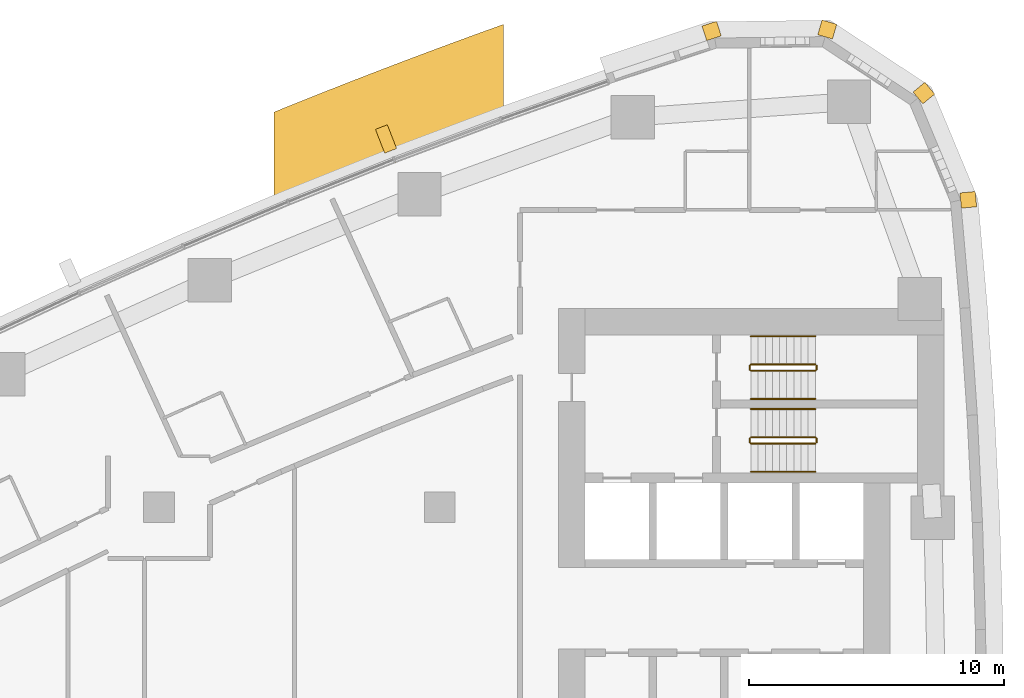
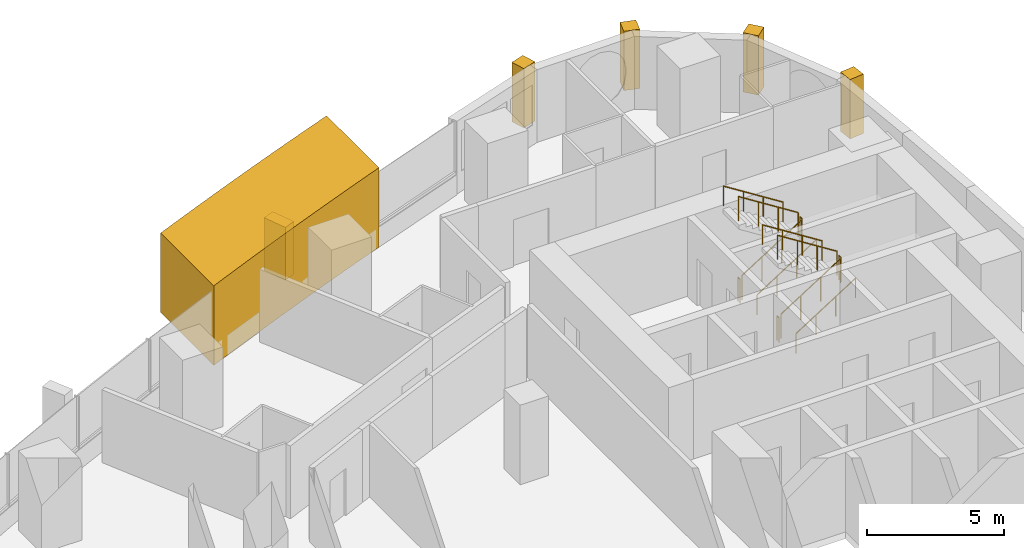
# One storey, part 17 of 17: 12 railings, 6 coverings.
"""IFC4 building model written with IfcOpenShell, lengths in metres."""

from ifc_helpers import new_model, si_unit, direction, frame, frame_2d, origin, origin_2d, place, context, subcontext, project, spatial, polyline, rectangle, circle, outline, extrude, material, layer, layer_set, type_object, element, save


model = new_model("IFC4")

# Units and contexts
model_context = context("Model", 3, precision=1e-05, world=origin(), true_north=direction((0.0, 1.0)))
body_context = subcontext(model_context, "Body", "Model", "MODEL_VIEW")
ifc_project = project(units=[si_unit("LENGTHUNIT", "METRE"), si_unit("AREAUNIT", "SQUARE_METRE"), si_unit("VOLUMEUNIT", "CUBIC_METRE"), si_unit("PLANEANGLEUNIT", "RADIAN"), si_unit("MASSUNIT", "GRAM", prefix="KILO")], contexts=[model_context])

# Site, building, storey
site_placement = place(None, origin())
site = spatial("IfcSite", under=ifc_project, at=site_placement, CompositionType="ELEMENT")
building_placement = place(site_placement, origin())
building = spatial("IfcBuilding", under=site, at=building_placement, Name="Ostrand Prow Hotel Tower", CompositionType="ELEMENT")
storey_placement = place(building_placement, frame((0.0, 0.0, 92.0)))
storey = spatial("IfcBuildingStorey", under=building, at=storey_placement, Name="L21", CompositionType="ELEMENT", Elevation=92.0)

# Coverings
ifc_material_1 = material(Name="Limestone cladding", Category="masonry")
ifc_layer_1 = layer(ifc_material_1, 5.0)
ifc_layer_set_1 = layer_set([ifc_layer_1], Name="Limestone cladding")
covering_type_1 = type_object("IfcCoveringType", Name="Portal jamb pilaster limestone", PredefinedType="CLADDING", material=ifc_layer_set_1)
covering_1_placement = place(storey_placement, origin())
element("IfcCovering", 1, at=covering_1_placement, inside=storey, type_object=covering_type_1, Name="Portal jamb NB L21", PredefinedType="CLADDING", context=body_context, shape_type="SweptSolid", body=[
    extrude(outline(polyline([(38.5, 20.59423828125), (39.5, 21.006103515625), (40.5, 21.412353515625), (41.5, 21.812744140625), (42.5, 22.207763671875), (43.5, 22.59716796875), (44.5, 22.98095703125), (45.5, 23.359130859375), (46.5, 23.732177734375), (47.5, 24.099609375), (47.5, 27.927490234375), (46.5, 27.566650390625), (45.5, 27.200439453125), (44.5, 26.8291015625), (43.5, 26.4521484375), (42.5, 26.06982421875), (41.5, 25.68212890625), (40.5, 25.2890625), (39.5, 24.890380859375), (38.5, 24.486083984375), (38.5, 20.59423828125)])), origin(), (0.0, 0.0, 1.0), 3.550048828125),
])
ifc_material_2 = material(Name="Limestone cladding", Category="masonry")
ifc_layer_2 = layer(ifc_material_2, 0.5)
ifc_layer_set_2 = layer_set([ifc_layer_2], Name="Limestone cladding")
covering_type_2 = type_object("IfcCoveringType", Name="Precast stone fin 500x900", PredefinedType="CLADDING", material=ifc_layer_set_2)
covering_2_placement = place(storey_placement, frame((43.0791015625, 22.97021484375, 0.89990234375), z_axis=(0.0, 0.0, 1.0), x_axis=(-0.361774694157, 0.932265558019, 0.0)))
element("IfcCovering", 2, at=covering_2_placement, inside=storey, type_object=covering_type_2, Name="Stone fin N 3", PredefinedType="CLADDING", context=body_context, shape_type="SweptSolid", body=[
    extrude(rectangle(XDim=1.0, YDim=0.5, at=frame_2d((0.5, 0.0))), origin(), (0.0, 0.0, 1.0), 2.35009765625),
])
ifc_material_3 = material(Name="Limestone cladding", Category="masonry")
ifc_layer_3 = layer(ifc_material_3, 0.60009765625)
ifc_layer_set_3 = layer_set([ifc_layer_3], Name="Limestone cladding")
covering_type_3 = type_object("IfcCoveringType", Name="Precast stone prow rib 600x600", PredefinedType="CLADDING", material=ifc_layer_set_3)
for number, where, z_axis, x_axis, name in (
    (3, (65.41650390625, 21.02099609375, 0.60009765625), (0.0, 0.0, 1.0), (0.99529571972, 0.096883591531, 0.0), "Stone corner rib 15a"),
    (4, (63.74365234375, 25.043212890625, 0.60009765625), (0.0, 0.0, 1.0), (0.770318500913, 0.637659319034, 0.0), "Stone corner rib 16a"),
):
    element("IfcCovering", number, at=place(storey_placement, frame(where, z_axis=z_axis, x_axis=x_axis)), inside=storey, type_object=covering_type_3, Name=name, PredefinedType="CLADDING", context=body_context, shape_type="SweptSolid", body=[
        extrude(rectangle(XDim=0.599853515625, YDim=0.60009765625, at=frame_2d((0.2998046875, 0.0))), origin(), (0.0, 0.0, 1.0), 2.64990234375),
    ])
covering_3_placement = place(storey_placement, frame((60.104736328125, 27.437744140625, 0.60009765625), z_axis=(0.0, 0.0, 1.0), x_axis=(0.280734221166, 0.959785547436, 0.0)))
element("IfcCovering", 5, at=covering_3_placement, inside=storey, type_object=covering_type_3, Name="Stone corner rib 17a", PredefinedType="CLADDING", context=body_context, shape_type="SweptSolid", body=[
    extrude(rectangle(XDim=0.60009765625, YDim=0.60009765625, at=frame_2d((0.300048828125, 0.0))), origin(), (0.0, 0.0, 1.0), 2.64990234375),
])
covering_4_placement = place(storey_placement, frame((55.7490234375, 27.3828125, 0.60009765625), z_axis=(0.0, 0.0, 1.0), x_axis=(-0.305218682065, 0.952282288042, 0.0)))
element("IfcCovering", 6, at=covering_4_placement, inside=storey, type_object=covering_type_3, Name="Stone corner rib 17b", PredefinedType="CLADDING", context=body_context, shape_type="SweptSolid", body=[
    extrude(rectangle(XDim=0.599853515625, YDim=0.60009765625, at=frame_2d((0.2998046875, 0.0))), origin(), (0.0, 0.0, 1.0), 2.64990234375),
])

# Railings
ifc_material_4 = material(Name="Painted steel", Category="steel")
railing_type_1 = type_object("IfcRailingType", Name="Stair guard 1100", PredefinedType="GUARDRAIL", material=ifc_material_4)
railing_1_placement = place(storey_placement, frame((57.199951171875, 11.5, 0.177490234375)))
element("IfcRailing", 7, at=railing_1_placement, inside=storey, type_object=railing_type_1, Name="L21 ST1C stair guard 1", PredefinedType="GUARDRAIL", context=body_context, shape_type="SweptSolid", body=[
    extrude(circle(Radius=0.02392578125, at=origin_2d()), frame((0.0, 0.0, 1.076171875), z_axis=(0.84460694969, 0.0, 0.535386869969), x_axis=(0.0, 1.0, 0.0)), (0.0, 0.0, 1.0), 2.983642578125),
    extrude(circle(Radius=0.02099609375, at=origin_2d()), origin(), (0.0, 0.0, 1.0), 1.052001953125),
    extrude(circle(Radius=0.02099609375, at=origin_2d()), frame((0.840087890625, 0.0, 0.532470703125)), (0.0, 0.0, 1.0), 1.052001953125),
    extrude(circle(Radius=0.02099609375, at=origin_2d()), frame((1.679931640625, 0.0, 1.06494140625)), (0.0, 0.0, 1.0), 1.052001953125),
    extrude(circle(Radius=0.02099609375, at=origin_2d()), frame((2.52001953125, 0.0, 1.597412109375)), (0.0, 0.0, 1.0), 1.052001953125),
])
railing_2_placement = place(storey_placement, frame((59.77001953125, 11.550048828125, 1.77490234375)))
element("IfcRailing", 8, at=railing_2_placement, inside=storey, type_object=railing_type_1, Name="L21 ST1C stair guard 2", PredefinedType="GUARDRAIL", context=body_context, shape_type="SweptSolid", body=[
    extrude(circle(Radius=0.02392578125, at=origin_2d()), frame((0.0, 0.0, 1.076171875), z_axis=(0.0, 1.0, 0.0), x_axis=(-1.0, 0.0, 0.0)), (0.0, 0.0, 1.0), 0.14990234375),
    extrude(circle(Radius=0.02099609375, at=origin_2d()), origin(), (0.0, 0.0, 1.0), 1.052001953125),
    extrude(circle(Radius=0.02099609375, at=origin_2d()), frame((0.0, 0.14990234375, 0.0)), (0.0, 0.0, 1.0), 1.052001953125),
])
railing_3_placement = place(storey_placement, frame((59.719970703125, 11.75, 1.952392578125)))
element("IfcRailing", 9, at=railing_3_placement, inside=storey, type_object=railing_type_1, Name="L21 ST1C stair guard 3", PredefinedType="GUARDRAIL", context=body_context, shape_type="SweptSolid", body=[
    extrude(circle(Radius=0.02392578125, at=origin_2d()), frame((0.0, 0.0, 1.076171875), z_axis=(-0.84456994832, 0.0, 0.535445237532), x_axis=(0.0, -1.0, 0.0)), (0.0, 0.0, 1.0), 2.98388671875),
    extrude(circle(Radius=0.02099609375, at=origin_2d()), origin(), (0.0, 0.0, 1.0), 1.052001953125),
    extrude(circle(Radius=0.02099609375, at=origin_2d()), frame((-0.840087890625, 0.0, 0.532470703125)), (0.0, 0.0, 1.0), 1.052001953125),
    extrude(circle(Radius=0.02099609375, at=origin_2d()), frame((-1.679931640625, 0.0, 1.065185546875)), (0.0, 0.0, 1.0), 1.052001953125),
    extrude(circle(Radius=0.02099609375, at=origin_2d()), frame((-2.52001953125, 0.0, 1.59765625)), (0.0, 0.0, 1.0), 1.052001953125),
])
railing_4_placement = place(storey_placement, frame((57.14990234375, 11.550048828125, 0.0)))
element("IfcRailing", 10, at=railing_4_placement, inside=storey, type_object=railing_type_1, Name="L21 ST1C stair guard 4", PredefinedType="GUARDRAIL", context=body_context, shape_type="SweptSolid", body=[
    extrude(circle(Radius=0.02392578125, at=origin_2d()), frame((0.0, 0.0, 1.076171875), z_axis=(0.0, 1.0, 0.0), x_axis=(-1.0, 0.0, 0.0)), (0.0, 0.0, 1.0), 0.14990234375),
    extrude(circle(Radius=0.02099609375, at=origin_2d()), origin(), (0.0, 0.0, 1.0), 1.052001953125),
    extrude(circle(Radius=0.02099609375, at=origin_2d()), frame((0.0, 0.14990234375, 0.0)), (0.0, 0.0, 1.0), 1.052001953125),
])
railing_5_placement = place(storey_placement, frame((57.199951171875, 14.35009765625, 0.177490234375)))
element("IfcRailing", 11, at=railing_5_placement, inside=storey, type_object=railing_type_1, Name="L21 ST3C stair guard 1", PredefinedType="GUARDRAIL", context=body_context, shape_type="SweptSolid", body=[
    extrude(circle(Radius=0.02392578125, at=origin_2d()), frame((0.0, 0.0, 1.076171875), z_axis=(0.84460694969, 0.0, 0.535386869969), x_axis=(0.0, 1.0, 0.0)), (0.0, 0.0, 1.0), 2.983642578125),
    extrude(circle(Radius=0.02099609375, at=origin_2d()), origin(), (0.0, 0.0, 1.0), 1.052001953125),
    extrude(circle(Radius=0.02099609375, at=origin_2d()), frame((0.840087890625, 0.0, 0.532470703125)), (0.0, 0.0, 1.0), 1.052001953125),
    extrude(circle(Radius=0.02099609375, at=origin_2d()), frame((1.679931640625, 0.0, 1.06494140625)), (0.0, 0.0, 1.0), 1.052001953125),
    extrude(circle(Radius=0.02099609375, at=origin_2d()), frame((2.52001953125, 0.0, 1.597412109375)), (0.0, 0.0, 1.0), 1.052001953125),
])
railing_6_placement = place(storey_placement, frame((59.77001953125, 14.39990234375, 1.77490234375)))
element("IfcRailing", 12, at=railing_6_placement, inside=storey, type_object=railing_type_1, Name="L21 ST3C stair guard 2", PredefinedType="GUARDRAIL", context=body_context, shape_type="SweptSolid", body=[
    extrude(circle(Radius=0.02392578125, at=origin_2d()), frame((0.0, 0.0, 1.076171875), z_axis=(0.0, 1.0, 0.0), x_axis=(-1.0, 0.0, 0.0)), (0.0, 0.0, 1.0), 0.150146484375),
    extrude(circle(Radius=0.02099609375, at=origin_2d()), origin(), (0.0, 0.0, 1.0), 1.052001953125),
    extrude(circle(Radius=0.02099609375, at=origin_2d()), frame((0.0, 0.150146484375, 0.0)), (0.0, 0.0, 1.0), 1.052001953125),
])
railing_7_placement = place(storey_placement, frame((59.719970703125, 14.60009765625, 1.952392578125)))
element("IfcRailing", 13, at=railing_7_placement, inside=storey, type_object=railing_type_1, Name="L21 ST3C stair guard 3", PredefinedType="GUARDRAIL", context=body_context, shape_type="SweptSolid", body=[
    extrude(circle(Radius=0.02392578125, at=origin_2d()), frame((0.0, 0.0, 1.076171875), z_axis=(-0.84456994832, 0.0, 0.535445237532), x_axis=(0.0, -1.0, 0.0)), (0.0, 0.0, 1.0), 2.98388671875),
    extrude(circle(Radius=0.02099609375, at=origin_2d()), origin(), (0.0, 0.0, 1.0), 1.052001953125),
    extrude(circle(Radius=0.02099609375, at=origin_2d()), frame((-0.840087890625, 0.0, 0.532470703125)), (0.0, 0.0, 1.0), 1.052001953125),
    extrude(circle(Radius=0.02099609375, at=origin_2d()), frame((-1.679931640625, 0.0, 1.065185546875)), (0.0, 0.0, 1.0), 1.052001953125),
    extrude(circle(Radius=0.02099609375, at=origin_2d()), frame((-2.52001953125, 0.0, 1.59765625)), (0.0, 0.0, 1.0), 1.052001953125),
])
railing_8_placement = place(storey_placement, frame((57.14990234375, 14.39990234375, 0.0)))
element("IfcRailing", 14, at=railing_8_placement, inside=storey, type_object=railing_type_1, Name="L21 ST3C stair guard 4", PredefinedType="GUARDRAIL", context=body_context, shape_type="SweptSolid", body=[
    extrude(circle(Radius=0.02392578125, at=origin_2d()), frame((0.0, 0.0, 1.076171875), z_axis=(0.0, 1.0, 0.0), x_axis=(-1.0, 0.0, 0.0)), (0.0, 0.0, 1.0), 0.150146484375),
    extrude(circle(Radius=0.02099609375, at=origin_2d()), origin(), (0.0, 0.0, 1.0), 1.052001953125),
    extrude(circle(Radius=0.02099609375, at=origin_2d()), frame((0.0, 0.150146484375, 0.0)), (0.0, 0.0, 1.0), 1.052001953125),
])
ifc_material_5 = material(Name="Stainless steel", Category="steel")
railing_type_2 = type_object("IfcRailingType", Name="Stair handrail 900", PredefinedType="HANDRAIL", material=ifc_material_5)
railing_9_placement = place(storey_placement, frame((57.199951171875, 10.39990234375, 0.177490234375)))
element("IfcRailing", 15, at=railing_9_placement, inside=storey, type_object=railing_type_2, Name="L21 ST1C stair handrail 1", PredefinedType="HANDRAIL", context=body_context, shape_type="SweptSolid", body=[
    extrude(circle(Radius=0.02392578125, at=origin_2d()), frame((0.0, 0.0, 0.8759765625), z_axis=(0.84460694969, 0.0, 0.535386869969), x_axis=(0.0, 1.0, 0.0)), (0.0, 0.0, 1.0), 2.983642578125),
    extrude(circle(Radius=0.02099609375, at=origin_2d()), origin(), (0.0, 0.0, 1.0), 0.851806640625),
    extrude(circle(Radius=0.02099609375, at=origin_2d()), frame((0.840087890625, 0.0, 0.532470703125)), (0.0, 0.0, 1.0), 0.851806640625),
    extrude(circle(Radius=0.02099609375, at=origin_2d()), frame((1.679931640625, 0.0, 1.06494140625)), (0.0, 0.0, 1.0), 0.851806640625),
    extrude(circle(Radius=0.02099609375, at=origin_2d()), frame((2.52001953125, 0.0, 1.597412109375)), (0.0, 0.0, 1.0), 0.851806640625),
])
railing_10_placement = place(storey_placement, frame((59.719970703125, 12.85009765625, 1.952392578125)))
element("IfcRailing", 16, at=railing_10_placement, inside=storey, type_object=railing_type_2, Name="L21 ST1C stair handrail 2", PredefinedType="HANDRAIL", context=body_context, shape_type="SweptSolid", body=[
    extrude(circle(Radius=0.02392578125, at=origin_2d()), frame((0.0, 0.0, 0.8759765625), z_axis=(-0.84456994832, 0.0, 0.535445237532), x_axis=(0.0, -1.0, 0.0)), (0.0, 0.0, 1.0), 2.98388671875),
    extrude(circle(Radius=0.02099609375, at=origin_2d()), origin(), (0.0, 0.0, 1.0), 0.851806640625),
    extrude(circle(Radius=0.02099609375, at=origin_2d()), frame((-0.840087890625, 0.0, 0.532470703125)), (0.0, 0.0, 1.0), 0.851806640625),
    extrude(circle(Radius=0.02099609375, at=origin_2d()), frame((-1.679931640625, 0.0, 1.065185546875)), (0.0, 0.0, 1.0), 0.851806640625),
    extrude(circle(Radius=0.02099609375, at=origin_2d()), frame((-2.52001953125, 0.0, 1.59765625)), (0.0, 0.0, 1.0), 0.851806640625),
])
railing_11_placement = place(storey_placement, frame((57.199951171875, 13.25, 0.177490234375)))
element("IfcRailing", 17, at=railing_11_placement, inside=storey, type_object=railing_type_2, Name="L21 ST3C stair handrail 1", PredefinedType="HANDRAIL", context=body_context, shape_type="SweptSolid", body=[
    extrude(circle(Radius=0.02392578125, at=origin_2d()), frame((0.0, 0.0, 0.8759765625), z_axis=(0.84460694969, 0.0, 0.535386869969), x_axis=(0.0, 1.0, 0.0)), (0.0, 0.0, 1.0), 2.983642578125),
    extrude(circle(Radius=0.02099609375, at=origin_2d()), origin(), (0.0, 0.0, 1.0), 0.851806640625),
    extrude(circle(Radius=0.02099609375, at=origin_2d()), frame((0.840087890625, 0.0, 0.532470703125)), (0.0, 0.0, 1.0), 0.851806640625),
    extrude(circle(Radius=0.02099609375, at=origin_2d()), frame((1.679931640625, 0.0, 1.06494140625)), (0.0, 0.0, 1.0), 0.851806640625),
    extrude(circle(Radius=0.02099609375, at=origin_2d()), frame((2.52001953125, 0.0, 1.597412109375)), (0.0, 0.0, 1.0), 0.851806640625),
])
railing_12_placement = place(storey_placement, frame((59.719970703125, 15.699951171875, 1.952392578125)))
element("IfcRailing", 18, at=railing_12_placement, inside=storey, type_object=railing_type_2, Name="L21 ST3C stair handrail 2", PredefinedType="HANDRAIL", context=body_context, shape_type="SweptSolid", body=[
    extrude(circle(Radius=0.02392578125, at=origin_2d()), frame((0.0, 0.0, 0.8759765625), z_axis=(-0.84456994832, 0.0, 0.535445237532), x_axis=(0.0, -1.0, 0.0)), (0.0, 0.0, 1.0), 2.98388671875),
    extrude(circle(Radius=0.02099609375, at=origin_2d()), origin(), (0.0, 0.0, 1.0), 0.851806640625),
    extrude(circle(Radius=0.02099609375, at=origin_2d()), frame((-0.840087890625, 0.0, 0.532470703125)), (0.0, 0.0, 1.0), 0.851806640625),
    extrude(circle(Radius=0.02099609375, at=origin_2d()), frame((-1.679931640625, 0.0, 1.065185546875)), (0.0, 0.0, 1.0), 0.851806640625),
    extrude(circle(Radius=0.02099609375, at=origin_2d()), frame((-2.52001953125, 0.0, 1.59765625)), (0.0, 0.0, 1.0), 0.851806640625),
])

save(model, "model.ifc")
